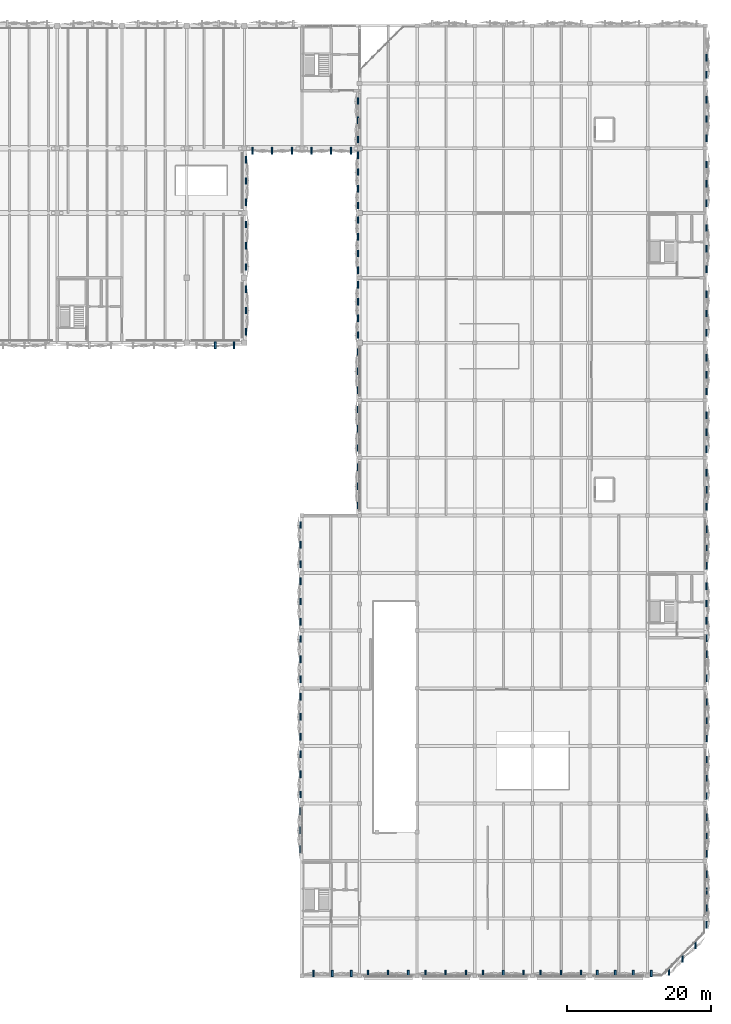
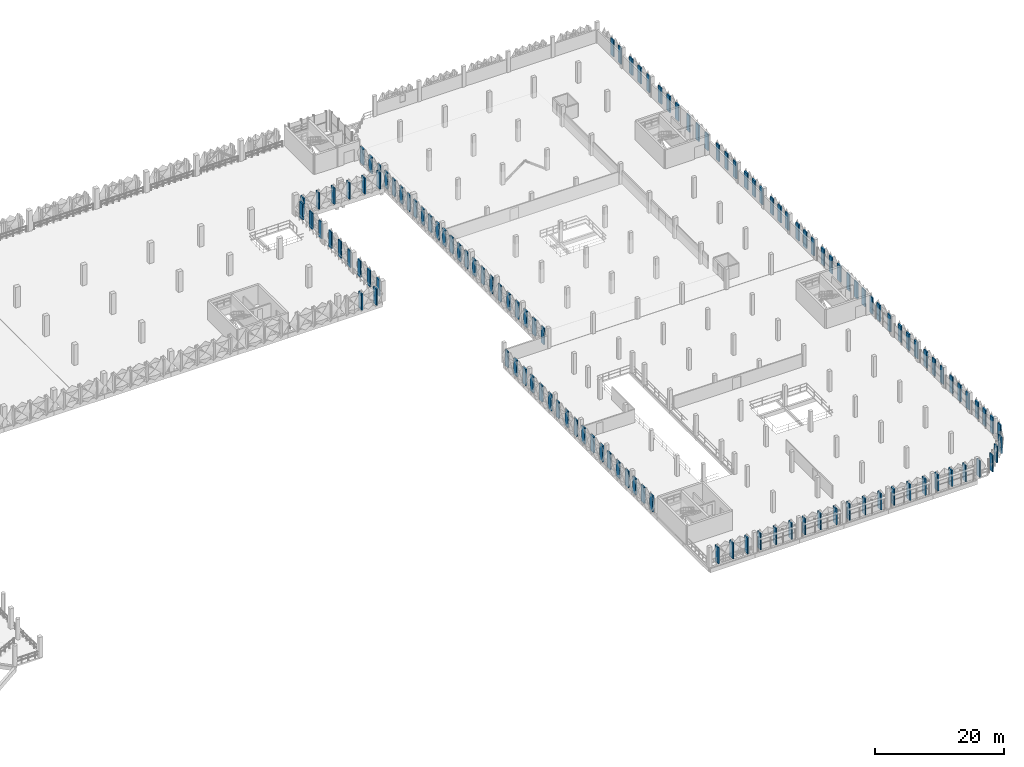
# One storey, part 48 of 83: 126 discrete accessories.
"""IFC4 building model written with IfcOpenShell, lengths in metres."""

from ifc_helpers import new_model, si_unit, derived_unit, direction, frame, origin, origin_2d, place, context, subcontext, project, spatial, rectangle, extrude, material, type_object, element, save


model = new_model("IFC4")

# Units and contexts
model_context = context("Model", 3, precision=1e-05, world=origin(), true_north=direction((0.0, 1.0)))
body_context = subcontext(model_context, "Body", "Model", "MODEL_VIEW")
ifc_project = project(units=[si_unit("LENGTHUNIT", "METRE"), si_unit("AREAUNIT", "SQUARE_METRE"), si_unit("VOLUMEUNIT", "CUBIC_METRE"), si_unit("PLANEANGLEUNIT", "RADIAN"), si_unit("MASSUNIT", "GRAM", prefix="KILO"), si_unit("THERMODYNAMICTEMPERATUREUNIT", "KELVIN"), derived_unit("THERMALTRANSMITTANCEUNIT", [(si_unit("POWERUNIT", "WATT"), 1), (si_unit("AREAUNIT", "SQUARE_METRE"), -1), (si_unit("THERMODYNAMICTEMPERATUREUNIT", "KELVIN"), -1)])], contexts=[model_context])

# Site, building, storey
site_placement = place(None, origin())
site = spatial("IfcSite", under=ifc_project, at=site_placement, CompositionType="ELEMENT")
building_placement = place(site_placement, origin())
building = spatial("IfcBuilding", under=site, at=building_placement, Name="Haiyu Intermodal Mobility Hub", CompositionType="ELEMENT")
storey_placement = place(building_placement, frame((0.0, 0.0, 13.39990234375)))
storey = spatial("IfcBuildingStorey", under=building, at=storey_placement, Name="L03", CompositionType="ELEMENT", Elevation=13.39990234375)

# Discrete accessories
ifc_material = material(Name="Steel Q355C", Category="steel")
discrete_accessory_type = type_object("IfcDiscreteAccessoryType", Name="ACC-BK02", PredefinedType="BRACKET", material=ifc_material)
for number, where, z_axis, x_axis, name in (
    (1, (146.199951171875, 105.512939453125, 0.050048828125), (0.0, 0.0, 1.0), (1.0, 0.0, 0.0), "BRK-PYR-0686"),
    (2, (146.199951171875, 108.4599609375, 0.050048828125), (0.0, 0.0, 1.0), (1.0, 0.0, 0.0), "BRK-PYR-0689"),
    (3, (146.199951171875, 111.406982421875, 0.050048828125), (0.0, 0.0, 1.0), (1.0, 0.0, 0.0), "BRK-PYR-0690"),
    (4, (146.199951171875, 114.512939453125, 0.050048828125), (0.0, 0.0, 1.0), (1.0, 0.0, 0.0), "BRK-PYR-0693"),
    (5, (146.199951171875, 117.4599609375, 0.050048828125), (0.0, 0.0, 1.0), (1.0, 0.0, 0.0), "BRK-PYR-0696"),
    (6, (146.199951171875, 120.406982421875, 0.050048828125), (0.0, 0.0, 1.0), (1.0, 0.0, 0.0), "BRK-PYR-0697"),
    (7, (146.199951171875, 123.512939453125, 0.050048828125), (0.0, 0.0, 1.0), (1.0, 0.0, 0.0), "BRK-PYR-0700"),
    (8, (146.199951171875, 126.4599609375, 0.050048828125), (0.0, 0.0, 1.0), (1.0, 0.0, 0.0), "BRK-PYR-0703"),
    (9, (146.199951171875, 129.406982421875, 0.050048828125), (0.0, 0.0, 1.0), (1.0, 0.0, 0.0), "BRK-PYR-0704"),
    (10, (141.9599609375, 103.659912109375, 0.050048828125), (0.0, 0.0, 1.0), (1.0, 0.0, 0.0), "BRK-PYR-0999"),
    (11, (144.572998046875, 103.659912109375, 0.050048828125), (0.0, 0.0, 1.0), (1.0, 0.0, 0.0), "BRK-PYR-1000"),
    (12, (210.199951171875, 81.212890625, 0.050048828125), (0.0, 0.0, 1.0), (1.0, 0.0, 0.0), "BRK-PYR-1192"),
    (13, (210.199951171875, 83.56005859375, 0.050048828125), (0.0, 0.0, 1.0), (1.0, 0.0, 0.0), "BRK-PYR-1195"),
    (14, (210.199951171875, 85.906982421875, 0.050048828125), (0.0, 0.0, 1.0), (1.0, 0.0, 0.0), "BRK-PYR-1196"),
    (15, (210.199951171875, 89.212890625, 0.050048828125), (0.0, 0.0, 1.0), (1.0, 0.0, 0.0), "BRK-PYR-1199"),
    (16, (210.199951171875, 91.56005859375, 0.050048828125), (0.0, 0.0, 1.0), (1.0, 0.0, 0.0), "BRK-PYR-1202"),
    (17, (210.199951171875, 93.906982421875, 0.050048828125), (0.0, 0.0, 1.0), (1.0, 0.0, 0.0), "BRK-PYR-1203"),
    (18, (210.199951171875, 97.212890625, 0.050048828125), (0.0, 0.0, 1.0), (1.0, 0.0, 0.0), "BRK-PYR-1206"),
    (19, (210.199951171875, 99.56005859375, 0.050048828125), (0.0, 0.0, 1.0), (1.0, 0.0, 0.0), "BRK-PYR-1209"),
    (20, (210.199951171875, 101.906982421875, 0.050048828125), (0.0, 0.0, 1.0), (1.0, 0.0, 0.0), "BRK-PYR-1210"),
    (21, (210.199951171875, 105.3798828125, 0.050048828125), (0.0, 0.0, 1.0), (1.0, 0.0, 0.0), "BRK-PYR-1213"),
    (22, (210.199951171875, 108.06005859375, 0.050048828125), (0.0, 0.0, 1.0), (1.0, 0.0, 0.0), "BRK-PYR-1216"),
    (23, (210.199951171875, 110.739990234375, 0.050048828125), (0.0, 0.0, 1.0), (1.0, 0.0, 0.0), "BRK-PYR-1217"),
    (24, (210.199951171875, 123.3798828125, 0.050048828125), (0.0, 0.0, 1.0), (1.0, 0.0, 0.0), "BRK-PYR-1220"),
    (25, (210.199951171875, 126.06005859375, 0.050048828125), (0.0, 0.0, 1.0), (1.0, 0.0, 0.0), "BRK-PYR-1223"),
    (26, (210.199951171875, 128.739990234375, 0.050048828125), (0.0, 0.0, 1.0), (1.0, 0.0, 0.0), "BRK-PYR-1224"),
    (27, (210.199951171875, 132.3798828125, 0.050048828125), (0.0, 0.0, 1.0), (1.0, 0.0, 0.0), "BRK-PYR-1227"),
    (28, (210.199951171875, 135.06005859375, 0.050048828125), (0.0, 0.0, 1.0), (1.0, 0.0, 0.0), "BRK-PYR-1230"),
    (29, (210.199951171875, 137.739990234375, 0.050048828125), (0.0, 0.0, 1.0), (1.0, 0.0, 0.0), "BRK-PYR-1231"),
    (30, (210.199951171875, 141.212890625, 0.050048828125), (0.0, 0.0, 1.0), (1.0, 0.0, 0.0), "BRK-PYR-1234"),
    (31, (210.199951171875, 143.56005859375, 0.050048828125), (0.0, 0.0, 1.0), (1.0, 0.0, 0.0), "BRK-PYR-1237"),
    (32, (210.199951171875, 62.9599609375, 0.050048828125), (0.0, 0.0, 1.0), (1.0, 0.0, 0.0), "BRK-PYR-1380"),
    (33, (210.199951171875, 65.360107421875, 0.050048828125), (0.0, 0.0, 1.0), (1.0, 0.0, 0.0), "BRK-PYR-1383"),
    (34, (210.199951171875, 67.760009765625, 0.050048828125), (0.0, 0.0, 1.0), (1.0, 0.0, 0.0), "BRK-PYR-1386"),
    (35, (210.199951171875, 70.159912109375, 0.050048828125), (0.0, 0.0, 1.0), (1.0, 0.0, 0.0), "BRK-PYR-1387"),
    (36, (210.199951171875, 114.193115234375, 0.050048828125), (0.0, 0.0, 1.0), (1.0, 0.0, 0.0), "BRK-PYR-1404"),
    (37, (210.199951171875, 117.06005859375, 0.050048828125), (0.0, 0.0, 1.0), (1.0, 0.0, 0.0), "BRK-PYR-1407"),
    (38, (210.199951171875, 119.927001953125, 0.050048828125), (0.0, 0.0, 1.0), (1.0, 0.0, 0.0), "BRK-PYR-1408"),
    (39, (204.9970703125, 16.614990234375, 0.050048828125), (0.0, 0.0, 1.0), (1.0, 0.0, 0.0), "BRK-PYR-1474"),
    (40, (206.830078125, 18.447998046875, 0.050048828125), (0.0, 0.0, 1.0), (1.0, 0.0, 0.0), "BRK-PYR-1477"),
    (41, (208.6640625, 20.281982421875, 0.050048828125), (0.0, 0.0, 1.0), (1.0, 0.0, 0.0), "BRK-PYR-1478"),
    (42, (155.576904296875, 16.3798828125, 0.050048828125), (0.0, 0.0, 1.0), (1.0, 0.0, 0.0), "BRK-PYR-1739"),
    (43, (158.2099609375, 16.3798828125, 0.050048828125), (0.0, 0.0, 1.0), (1.0, 0.0, 0.0), "BRK-PYR-1742"),
    (44, (160.843017578125, 16.3798828125, 0.050048828125), (0.0, 0.0, 1.0), (1.0, 0.0, 0.0), "BRK-PYR-1743"),
    (45, (163.159912109375, 16.3798828125, 0.050048828125), (0.0, 0.0, 1.0), (1.0, 0.0, 0.0), "BRK-PYR-1746"),
    (46, (165.9599609375, 16.3798828125, 0.050048828125), (0.0, 0.0, 1.0), (1.0, 0.0, 0.0), "BRK-PYR-1749"),
    (47, (168.760009765625, 16.3798828125, 0.050048828125), (0.0, 0.0, 1.0), (1.0, 0.0, 0.0), "BRK-PYR-1750"),
    (48, (171.159912109375, 16.3798828125, 0.050048828125), (0.0, 0.0, 1.0), (1.0, 0.0, 0.0), "BRK-PYR-1753"),
    (49, (173.9599609375, 16.3798828125, 0.050048828125), (0.0, 0.0, 1.0), (1.0, 0.0, 0.0), "BRK-PYR-1756"),
    (50, (176.760009765625, 16.3798828125, 0.050048828125), (0.0, 0.0, 1.0), (1.0, 0.0, 0.0), "BRK-PYR-1757"),
    (51, (179.159912109375, 16.3798828125, 0.050048828125), (0.0, 0.0, 1.0), (1.0, 0.0, 0.0), "BRK-PYR-1760"),
    (52, (181.9599609375, 16.3798828125, 0.050048828125), (0.0, 0.0, 1.0), (1.0, 0.0, 0.0), "BRK-PYR-1763"),
    (53, (184.760009765625, 16.3798828125, 0.050048828125), (0.0, 0.0, 1.0), (1.0, 0.0, 0.0), "BRK-PYR-1764"),
    (54, (187.159912109375, 16.3798828125, 0.050048828125), (0.0, 0.0, 1.0), (1.0, 0.0, 0.0), "BRK-PYR-1767"),
    (55, (189.9599609375, 16.3798828125, 0.050048828125), (0.0, 0.0, 1.0), (1.0, 0.0, 0.0), "BRK-PYR-1770"),
    (56, (192.760009765625, 16.3798828125, 0.050048828125), (0.0, 0.0, 1.0), (1.0, 0.0, 0.0), "BRK-PYR-1771"),
    (57, (195.010009765625, 16.3798828125, 0.050048828125), (0.0, 0.0, 1.0), (1.0, 0.0, 0.0), "BRK-PYR-1774"),
    (58, (197.510009765625, 16.3798828125, 0.050048828125), (0.0, 0.0, 1.0), (1.0, 0.0, 0.0), "BRK-PYR-1777"),
    (59, (200.010009765625, 16.3798828125, 0.050048828125), (0.0, 0.0, 1.0), (1.0, 0.0, 0.0), "BRK-PYR-1780"),
    (60, (202.510009765625, 16.3798828125, 0.050048828125), (0.0, 0.0, 1.0), (1.0, 0.0, 0.0), "BRK-PYR-1781"),
    (61, (210.199951171875, 23.135009765625, 0.050048828125), (0.0, 0.0, 1.0), (1.0, 0.0, 0.0), "BRK-PYR-1784"),
    (62, (210.199951171875, 25.485107421875, 0.050048828125), (0.0, 0.0, 1.0), (1.0, 0.0, 0.0), "BRK-PYR-1787"),
    (63, (210.199951171875, 27.8349609375, 0.050048828125), (0.0, 0.0, 1.0), (1.0, 0.0, 0.0), "BRK-PYR-1790"),
    (64, (210.199951171875, 30.18505859375, 0.050048828125), (0.0, 0.0, 1.0), (1.0, 0.0, 0.0), "BRK-PYR-1791"),
    (65, (210.199951171875, 33.027099609375, 0.050048828125), (0.0, 0.0, 1.0), (1.0, 0.0, 0.0), "BRK-PYR-1794"),
    (66, (210.199951171875, 35.56005859375, 0.050048828125), (0.0, 0.0, 1.0), (1.0, 0.0, 0.0), "BRK-PYR-1797"),
    (67, (210.199951171875, 38.093017578125, 0.050048828125), (0.0, 0.0, 1.0), (1.0, 0.0, 0.0), "BRK-PYR-1798"),
    (68, (210.199951171875, 41.027099609375, 0.050048828125), (0.0, 0.0, 1.0), (1.0, 0.0, 0.0), "BRK-PYR-1801"),
    (69, (210.199951171875, 43.56005859375, 0.050048828125), (0.0, 0.0, 1.0), (1.0, 0.0, 0.0), "BRK-PYR-1804"),
    (70, (210.199951171875, 46.093017578125, 0.050048828125), (0.0, 0.0, 1.0), (1.0, 0.0, 0.0), "BRK-PYR-1805"),
    (71, (210.199951171875, 49.027099609375, 0.050048828125), (0.0, 0.0, 1.0), (1.0, 0.0, 0.0), "BRK-PYR-1808"),
    (72, (210.199951171875, 51.56005859375, 0.050048828125), (0.0, 0.0, 1.0), (1.0, 0.0, 0.0), "BRK-PYR-1811"),
    (73, (210.199951171875, 54.093017578125, 0.050048828125), (0.0, 0.0, 1.0), (1.0, 0.0, 0.0), "BRK-PYR-1812"),
    (74, (210.199951171875, 57.409912109375, 0.050048828125), (0.0, 0.0, 1.0), (1.0, 0.0, 0.0), "BRK-PYR-1815"),
    (75, (210.199951171875, 60.7099609375, 0.050048828125), (0.0, 0.0, 1.0), (1.0, 0.0, 0.0), "BRK-PYR-1816"),
    (76, (210.199951171875, 73.027099609375, 0.050048828125), (0.0, 0.0, 1.0), (1.0, 0.0, 0.0), "BRK-PYR-1819"),
    (77, (210.199951171875, 75.56005859375, 0.050048828125), (0.0, 0.0, 1.0), (1.0, 0.0, 0.0), "BRK-PYR-1822"),
    (78, (210.199951171875, 78.093017578125, 0.050048828125), (0.0, 0.0, 1.0), (1.0, 0.0, 0.0), "BRK-PYR-1823"),
    (79, (153.800048828125, 38.923095703125, 0.050048828125), (0.0, 0.0, 1.0), (1.0, 0.0, 0.0), "BRK-PYR-1826"),
    (80, (153.800048828125, 36.2900390625, 0.050048828125), (0.0, 0.0, 1.0), (1.0, 0.0, 0.0), "BRK-PYR-1829"),
    (81, (153.800048828125, 33.656982421875, 0.050048828125), (0.0, 0.0, 1.0), (1.0, 0.0, 0.0), "BRK-PYR-1830"),
    (82, (153.800048828125, 46.840087890625, 0.050048828125), (0.0, 0.0, 1.0), (1.0, 0.0, 0.0), "BRK-PYR-1833"),
    (83, (153.800048828125, 44.0400390625, 0.050048828125), (0.0, 0.0, 1.0), (1.0, 0.0, 0.0), "BRK-PYR-1836"),
    (84, (153.800048828125, 41.239990234375, 0.050048828125), (0.0, 0.0, 1.0), (1.0, 0.0, 0.0), "BRK-PYR-1837"),
    (85, (153.800048828125, 54.840087890625, 0.050048828125), (0.0, 0.0, 1.0), (1.0, 0.0, 0.0), "BRK-PYR-1840"),
    (86, (153.800048828125, 52.0400390625, 0.050048828125), (0.0, 0.0, 1.0), (1.0, 0.0, 0.0), "BRK-PYR-1843"),
    (87, (153.800048828125, 49.239990234375, 0.050048828125), (0.0, 0.0, 1.0), (1.0, 0.0, 0.0), "BRK-PYR-1844"),
    (88, (153.800048828125, 62.840087890625, 0.050048828125), (0.0, 0.0, 1.0), (1.0, 0.0, 0.0), "BRK-PYR-1847"),
    (89, (153.800048828125, 60.0400390625, 0.050048828125), (0.0, 0.0, 1.0), (1.0, 0.0, 0.0), "BRK-PYR-1850"),
    (90, (153.800048828125, 57.239990234375, 0.050048828125), (0.0, 0.0, 1.0), (1.0, 0.0, 0.0), "BRK-PYR-1851"),
    (91, (153.800048828125, 70.840087890625, 0.050048828125), (0.0, 0.0, 1.0), (1.0, 0.0, 0.0), "BRK-PYR-1854"),
    (92, (153.800048828125, 68.0400390625, 0.050048828125), (0.0, 0.0, 1.0), (1.0, 0.0, 0.0), "BRK-PYR-1857"),
    (93, (153.800048828125, 65.239990234375, 0.050048828125), (0.0, 0.0, 1.0), (1.0, 0.0, 0.0), "BRK-PYR-1858"),
    (94, (153.800048828125, 78.673095703125, 0.050048828125), (0.0, 0.0, 1.0), (1.0, 0.0, 0.0), "BRK-PYR-1861"),
    (95, (153.800048828125, 75.93994140625, 0.050048828125), (0.0, 0.0, 1.0), (1.0, 0.0, 0.0), "BRK-PYR-1864"),
    (96, (153.800048828125, 73.20703125, 0.050048828125), (0.0, 0.0, 1.0), (1.0, 0.0, 0.0), "BRK-PYR-1865"),
    (97, (161.800048828125, 112.028076171875, 0.050048828125), (0.0, 0.0, 1.0), (1.0, 0.0, 0.0), "BRK-PYR-1947"),
    (98, (161.800048828125, 109.701904296875, 0.050048828125), (0.0, 0.0, 1.0), (1.0, 0.0, 0.0), "BRK-PYR-1950"),
    (99, (161.800048828125, 107.3779296875, 0.050048828125), (0.0, 0.0, 1.0), (1.0, 0.0, 0.0), "BRK-PYR-1953"),
    (100, (161.800048828125, 105.052001953125, 0.050048828125), (0.0, 0.0, 1.0), (1.0, 0.0, 0.0), "BRK-PYR-1954"),
    (101, (161.800048828125, 121.028076171875, 0.050048828125), (0.0, 0.0, 1.0), (1.0, 0.0, 0.0), "BRK-PYR-1957"),
    (102, (161.800048828125, 118.701904296875, 0.050048828125), (0.0, 0.0, 1.0), (1.0, 0.0, 0.0), "BRK-PYR-1960"),
    (103, (161.800048828125, 116.3779296875, 0.050048828125), (0.0, 0.0, 1.0), (1.0, 0.0, 0.0), "BRK-PYR-1963"),
    (104, (161.800048828125, 114.052001953125, 0.050048828125), (0.0, 0.0, 1.0), (1.0, 0.0, 0.0), "BRK-PYR-1964"),
    (105, (161.800048828125, 130.028076171875, 0.050048828125), (0.0, 0.0, 1.0), (1.0, 0.0, 0.0), "BRK-PYR-1967"),
    (106, (161.800048828125, 127.701904296875, 0.050048828125), (0.0, 0.0, 1.0), (1.0, 0.0, 0.0), "BRK-PYR-1970"),
    (107, (161.800048828125, 125.3779296875, 0.050048828125), (0.0, 0.0, 1.0), (1.0, 0.0, 0.0), "BRK-PYR-1973"),
    (108, (161.800048828125, 123.052001953125, 0.050048828125), (0.0, 0.0, 1.0), (1.0, 0.0, 0.0), "BRK-PYR-1974"),
    (109, (161.800048828125, 137.556884765625, 0.050048828125), (0.0, 0.0, 1.0), (1.0, 0.0, 0.0), "BRK-PYR-1977"),
    (110, (161.800048828125, 134.889892578125, 0.050048828125), (0.0, 0.0, 1.0), (1.0, 0.0, 0.0), "BRK-PYR-1980"),
    (111, (161.800048828125, 132.222900390625, 0.050048828125), (0.0, 0.0, 1.0), (1.0, 0.0, 0.0), "BRK-PYR-1981"),
    (112, (161.800048828125, 86.70703125, 0.050048828125), (0.0, 0.0, 1.0), (1.0, 0.0, 0.0), "BRK-PYR-2129"),
    (113, (161.800048828125, 84.0400390625, 0.050048828125), (0.0, 0.0, 1.0), (1.0, 0.0, 0.0), "BRK-PYR-2132"),
    (114, (161.800048828125, 81.373046875, 0.050048828125), (0.0, 0.0, 1.0), (1.0, 0.0, 0.0), "BRK-PYR-2133"),
    (115, (161.800048828125, 94.70703125, 0.050048828125), (0.0, 0.0, 1.0), (1.0, 0.0, 0.0), "BRK-PYR-2136"),
    (116, (161.800048828125, 92.0400390625, 0.050048828125), (0.0, 0.0, 1.0), (1.0, 0.0, 0.0), "BRK-PYR-2139"),
    (117, (161.800048828125, 89.373046875, 0.050048828125), (0.0, 0.0, 1.0), (1.0, 0.0, 0.0), "BRK-PYR-2140"),
    (118, (161.800048828125, 102.70703125, 0.050048828125), (0.0, 0.0, 1.0), (1.0, 0.0, 0.0), "BRK-PYR-2143"),
    (119, (161.800048828125, 100.0400390625, 0.050048828125), (0.0, 0.0, 1.0), (1.0, 0.0, 0.0), "BRK-PYR-2146"),
    (120, (161.800048828125, 97.373046875, 0.050048828125), (0.0, 0.0, 1.0), (1.0, 0.0, 0.0), "BRK-PYR-2147"),
    (121, (147.126953125, 130.659912109375, 0.050048828125), (0.0, 0.0, 1.0), (1.0, 0.0, 0.0), "BRK-PYR-2373"),
    (122, (149.860107421875, 130.659912109375, 0.050048828125), (0.0, 0.0, 1.0), (1.0, 0.0, 0.0), "BRK-PYR-2376"),
    (123, (152.593017578125, 130.659912109375, 0.050048828125), (0.0, 0.0, 1.0), (1.0, 0.0, 0.0), "BRK-PYR-2379"),
    (124, (155.326904296875, 130.659912109375, 0.050048828125), (0.0, 0.0, 1.0), (1.0, 0.0, 0.0), "BRK-PYR-2382"),
    (125, (158.06005859375, 130.659912109375, 0.050048828125), (0.0, 0.0, 1.0), (1.0, 0.0, 0.0), "BRK-PYR-2385"),
    (126, (160.79296875, 130.659912109375, 0.050048828125), (0.0, 0.0, 1.0), (1.0, 0.0, 0.0), "BRK-PYR-2386"),
):
    element("IfcDiscreteAccessory", number, at=place(storey_placement, frame(where, z_axis=z_axis, x_axis=x_axis)), inside=storey, type_object=discrete_accessory_type, Name=name, PredefinedType="BRACKET", context=body_context, shape_type="SweptSolid", body=[
        extrude(rectangle(XDim=0.219970703125, YDim=0.949951171875, at=origin_2d()), origin(), (0.0, 0.0, 1.0), 3.10009765625),
    ])

save(model, "model.ifc")
